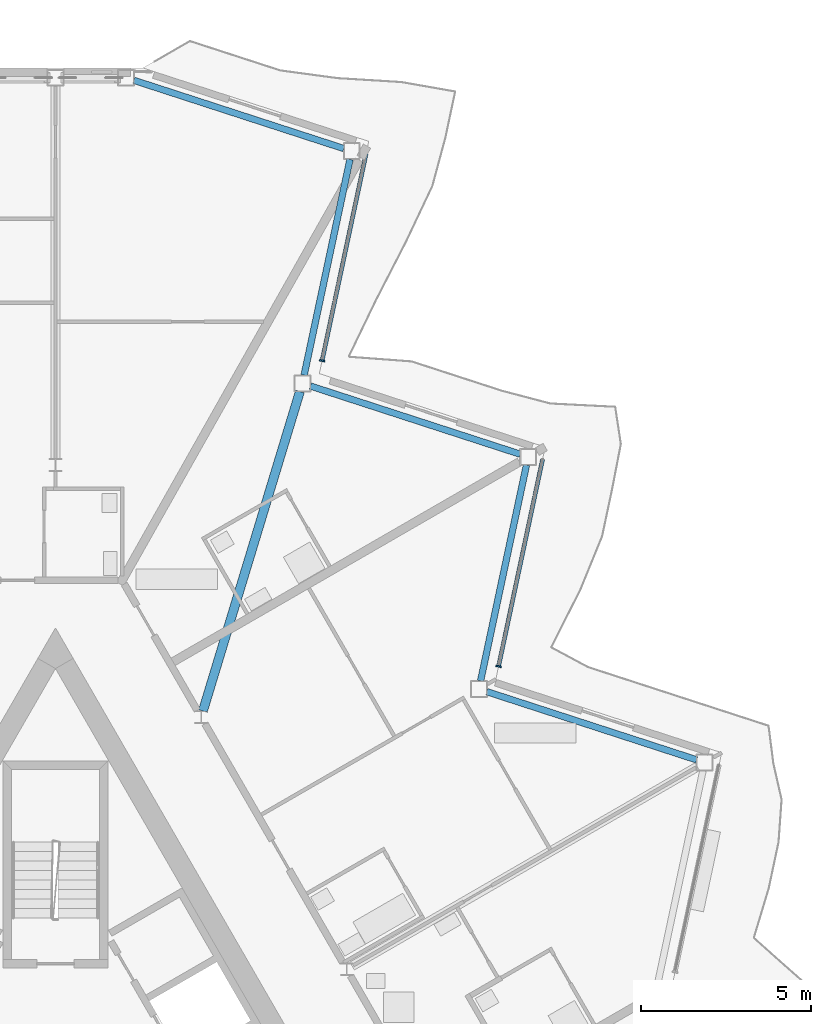
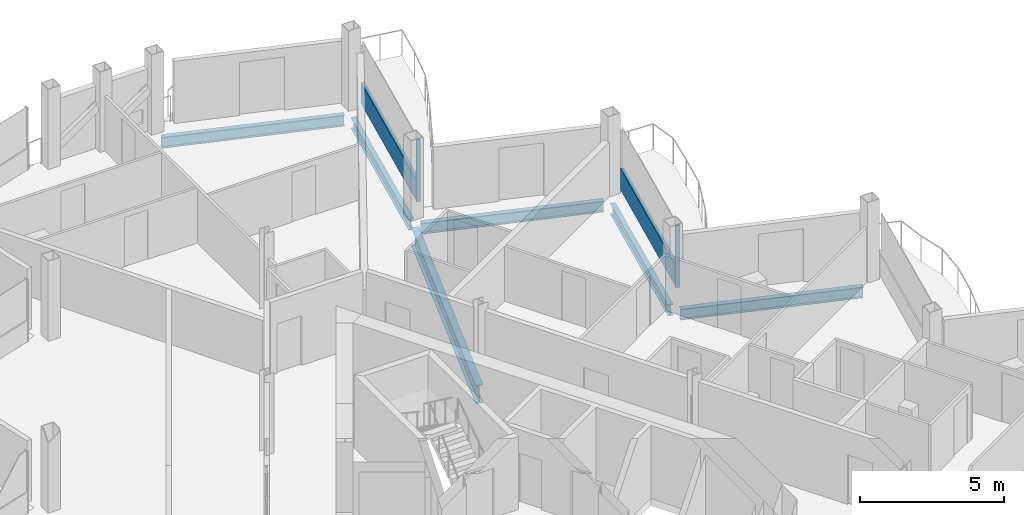
# One storey, part 10 of 26: 6 beams, 4 members, 2 elements without a shape of their own.
"""IFC4 building model written with IfcOpenShell, lengths in metres."""

from ifc_helpers import new_model, si_unit, direction, frame, origin, origin_2d, place, context, subcontext, project, spatial, rectangle, i_section, extrude, material, layer, layer_set, material_profile, profile_set, type_object, element, aggregate, save


model = new_model("IFC4")

# Units and contexts
model_context = context("Model", 3, precision=1e-05, world=origin(), true_north=direction((0.0, 1.0)))
body_context = subcontext(model_context, "Body", "Model", "MODEL_VIEW")
ifc_project = project(units=[si_unit("LENGTHUNIT", "METRE"), si_unit("AREAUNIT", "SQUARE_METRE"), si_unit("VOLUMEUNIT", "CUBIC_METRE"), si_unit("PLANEANGLEUNIT", "RADIAN"), si_unit("MASSUNIT", "GRAM", prefix="KILO")], contexts=[model_context])

# Site, building, storey
site_placement = place(None, origin())
site = spatial("IfcSite", under=ifc_project, at=site_placement, CompositionType="ELEMENT")
building_placement = place(site_placement, origin())
building = spatial("IfcBuilding", under=site, at=building_placement, Name="Cormorant Prow Tower", CompositionType="ELEMENT")
storey_placement = place(building_placement, frame((0.0, 0.0, 378.0)))
storey = spatial("IfcBuildingStorey", under=building, at=storey_placement, Name="L85", CompositionType="ELEMENT", Elevation=378.0)

# Beam
ifc_material_1 = material(Name="Structural steel ASTM A992 Gr 50", Category="steel")
ifc_material_profile_1 = material_profile(ifc_material_1, i_section(OverallWidth=0.267822265625, OverallDepth=0.77001953125, WebThickness=0.015625, FlangeThickness=0.025390625, at=origin_2d()), Name="W30x132")
ifc_profile_set_1 = profile_set([ifc_material_profile_1], Name="Structural steel ASTM A992 Gr 50")
beam_type_1 = type_object("IfcBeamType", Name="Radial floor beam W30x132", PredefinedType="BEAM", material=ifc_profile_set_1)
beam_1_placement = place(storey_placement, frame((4.343505859375, 12.560791015625, -0.68505859375), z_axis=(0.290499864147, 0.956875033079, 0.0), x_axis=(-0.956875033079, 0.290499864147, 0.0)))
element("IfcBeam", 1, at=beam_1_placement, inside=storey, type_object=beam_type_1, Name="Radial floor beam FB3 12 L85", PredefinedType="BEAM", context=body_context, shape_type="SweptSolid", body=[
    extrude(i_section(OverallWidth=0.267822265625, OverallDepth=0.77001953125, WebThickness=0.015625, FlangeThickness=0.025390625, at=origin_2d()), origin(), (0.0, 0.0, 1.0), 9.837158203125),
])

# Curtain wall, member
ifc_material_2 = material(Name="Aluminium 6063-T6", Category="aluminium")
ifc_layer = layer(ifc_material_2, 0.159912109375)
ifc_layer_set = layer_set([ifc_layer], Name="Aluminium 6063-T6")
curtain_wall_type = type_object("IfcCurtainWallType", Name="Residential unitised curtain wall 160", PredefinedType="NOTDEFINED", material=ifc_layer_set)
curtain_wall_1_placement = place(storey_placement, origin())
curtain_wall_1 = element("IfcCurtainWall", 2, at=curtain_wall_1_placement, inside=storey, type_object=curtain_wall_type, Name="Residential curtain wall ENE06", PredefinedType="NOTDEFINED")
ifc_material_3 = material(Name="Aluminium 6063-T6", Category="aluminium")
ifc_material_profile_2 = material_profile(ifc_material_3, rectangle(XDim=0.159912109375, YDim=0.050048828125, at=origin_2d()), Name="Residential mullion 50x160")
ifc_profile_set_2 = profile_set([ifc_material_profile_2], Name="Aluminium 6063-T6")
member_type_1 = type_object("IfcMemberType", Name="Residential mullion 50x160", PredefinedType="MULLION", material=ifc_profile_set_2)
member_1_placement = place(storey_placement, frame((13.055419921875, 13.87744140625, 0.0), z_axis=(0.0, 0.0, 1.0), x_axis=(-0.978147615768, 0.207911620089, 0.0)))
member_1 = element("IfcMember", 3, at=member_1_placement, type_object=member_type_1, Name="Residential mullion ENE06", PredefinedType="MULLION", context=body_context, shape_type="SweptSolid", body=[
    extrude(rectangle(XDim=0.159912109375, YDim=0.050048828125, at=origin_2d()), origin(), (0.0, 0.0, 1.0), 2.6337890625),
])

curtain_wall_2_placement = place(storey_placement, origin())
curtain_wall_2 = element("IfcCurtainWall", 4, at=curtain_wall_2_placement, inside=storey, type_object=curtain_wall_type, Name="Residential curtain wall ENE08", PredefinedType="NOTDEFINED")
member_2_placement = place(storey_placement, frame((7.85546875, 22.88427734375, 0.0), z_axis=(0.0, 0.0, 1.0), x_axis=(-0.978147609588, 0.207911649162, 0.0)))
member_2 = element("IfcMember", 5, at=member_2_placement, type_object=member_type_1, Name="Residential mullion ENE08", PredefinedType="MULLION", context=body_context, shape_type="SweptSolid", body=[
    extrude(rectangle(XDim=0.159912109375, YDim=0.050048828125, at=origin_2d()), origin(), (0.0, 0.0, 1.0), 2.6337890625),
])

# Member
ifc_material_4 = material(Name="Terracotta", Category="masonry")
ifc_material_profile_3 = material_profile(ifc_material_4, rectangle(XDim=0.1201171875, YDim=0.89990234375, at=origin_2d()), Name="Residential terracotta spandrel rail 120x900")
ifc_profile_set_3 = profile_set([ifc_material_profile_3], Name="Terracotta")
member_type_2 = type_object("IfcMemberType", Name="Residential terracotta spandrel rail 120x900", PredefinedType="USERDEFINED", material=ifc_profile_set_3)
member_3_placement = place(storey_placement, frame((13.060546875, 13.902099609375, 0.449951171875), z_axis=(0.207916541247, 0.978146569731, 0.0), x_axis=(-0.978146569731, 0.207916541247, 0.0)))
member_3 = element("IfcMember", 6, at=member_3_placement, type_object=member_type_2, Name="Residential spandrel rail ENE06", ObjectType="TRANSOM", PredefinedType="USERDEFINED", context=body_context, shape_type="SweptSolid", body=[
    extrude(rectangle(XDim=0.1201171875, YDim=0.89990234375, at=origin_2d()), origin(), (0.0, 0.0, 1.0), 6.215087890625),
])

aggregate(curtain_wall_1, [member_1, member_3])

member_4_placement = place(storey_placement, frame((7.860595703125, 22.90869140625, 0.449951171875), z_axis=(0.207916541247, 0.978146569731, 0.0), x_axis=(-0.978146569731, 0.207916541247, 0.0)))
member_4 = element("IfcMember", 7, at=member_4_placement, type_object=member_type_2, Name="Residential spandrel rail ENE08", ObjectType="TRANSOM", PredefinedType="USERDEFINED", context=body_context, shape_type="SweptSolid", body=[
    extrude(rectangle(XDim=0.1201171875, YDim=0.89990234375, at=origin_2d()), origin(), (0.0, 0.0, 1.0), 6.215087890625),
])

aggregate(curtain_wall_2, [member_2, member_4])

# Beams
ifc_material_5 = material(Name="Structural steel ASTM A992 Gr 50", Category="steel")
ifc_material_profile_4 = material_profile(ifc_material_5, i_section(OverallWidth=0.19287109375, OverallDepth=0.466064453125, WebThickness=0.011474609375, FlangeThickness=0.01904296875, at=origin_2d()), Name="W18x65")
ifc_profile_set_4 = profile_set([ifc_material_profile_4], Name="Structural steel ASTM A992 Gr 50")
beam_type_2 = type_object("IfcBeamType", Name="Spandrel beam W18x65", PredefinedType="SPANDREL", material=ifc_profile_set_4)
beam_2_placement = place(storey_placement, frame((18.890869140625, 11.12109375, -0.532958984375), z_axis=(-0.951053396625, 0.309026595569, 0.0), x_axis=(-0.309026595569, -0.951053396625, 0.0)))
element("IfcBeam", 8, at=beam_2_placement, inside=storey, type_object=beam_type_2, Name="Spandrel beam SB4 ENE05-ENE06 L85", PredefinedType="SPANDREL", context=body_context, shape_type="SweptSolid", body=[
    extrude(i_section(OverallWidth=0.19287109375, OverallDepth=0.466064453125, WebThickness=0.011474609375, FlangeThickness=0.01904296875, at=origin_2d()), origin(), (0.0, 0.0, 1.0), 6.497314453125),
])
beam_3_placement = place(storey_placement, frame((12.52587890625, 13.45068359375, -0.532958984375), z_axis=(0.207901897373, 0.978149682344, 0.0), x_axis=(-0.978149682344, 0.207901897373, 0.0)))
element("IfcBeam", 9, at=beam_3_placement, inside=storey, type_object=beam_type_2, Name="Spandrel beam SB4 ENE06-ENE07 L85", PredefinedType="SPANDREL", context=body_context, shape_type="SweptSolid", body=[
    extrude(i_section(OverallWidth=0.19287109375, OverallDepth=0.466064453125, WebThickness=0.011474609375, FlangeThickness=0.01904296875, at=origin_2d()), origin(), (0.0, 0.0, 1.0), 6.49755859375),
])
beam_4_placement = place(storey_placement, frame((13.69091796875, 20.1279296875, -0.532958984375), z_axis=(-0.951068027308, 0.308981564875, 0.0), x_axis=(-0.308981564875, -0.951068027308, 0.0)))
element("IfcBeam", 10, at=beam_4_placement, inside=storey, type_object=beam_type_2, Name="Spandrel beam SB4 ENE07-ENE08 L85", PredefinedType="SPANDREL", context=body_context, shape_type="SweptSolid", body=[
    extrude(i_section(OverallWidth=0.19287109375, OverallDepth=0.466064453125, WebThickness=0.011474609375, FlangeThickness=0.01904296875, at=origin_2d()), origin(), (0.0, 0.0, 1.0), 6.497314453125),
])
for number, where, z_axis, x_axis, name in (
    (11, (7.32568359375, 22.457275390625, -0.532958984375), (0.20793784774, 0.978142040543, 0.0), (-0.978142040543, 0.20793784774, 0.0), "Spandrel beam SB4 ENE08-ENE09 L85"),
    (12, (8.490966796875, 29.134521484375, -0.532958984375), (-0.951056984862, 0.30901555227, 0.0), (-0.30901555227, -0.951056984862, 0.0), "Spandrel beam SB4 ENE09-N00 L85"),
):
    element("IfcBeam", number, at=place(storey_placement, frame(where, z_axis=z_axis, x_axis=x_axis)), inside=storey, type_object=beam_type_2, Name=name, PredefinedType="SPANDREL", context=body_context, shape_type="SweptSolid", body=[
        extrude(i_section(OverallWidth=0.19287109375, OverallDepth=0.466064453125, WebThickness=0.011474609375, FlangeThickness=0.01904296875, at=origin_2d()), origin(), (0.0, 0.0, 1.0), 6.49755859375),
    ])

save(model, "model.ifc")
